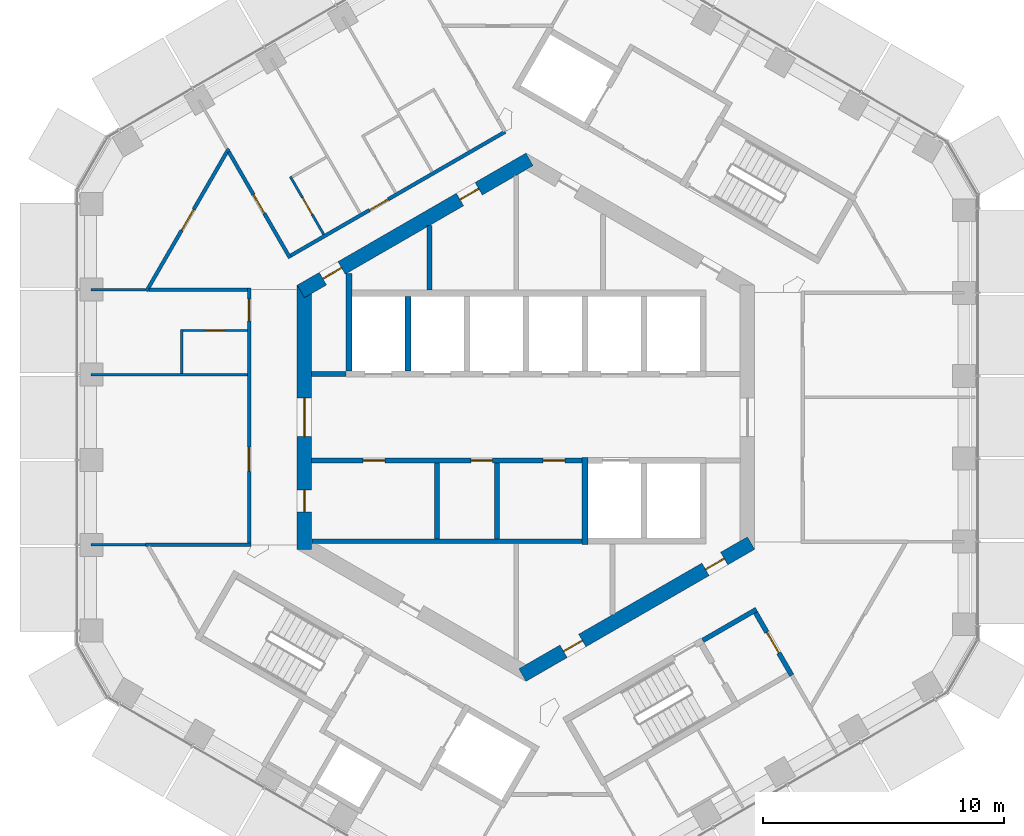
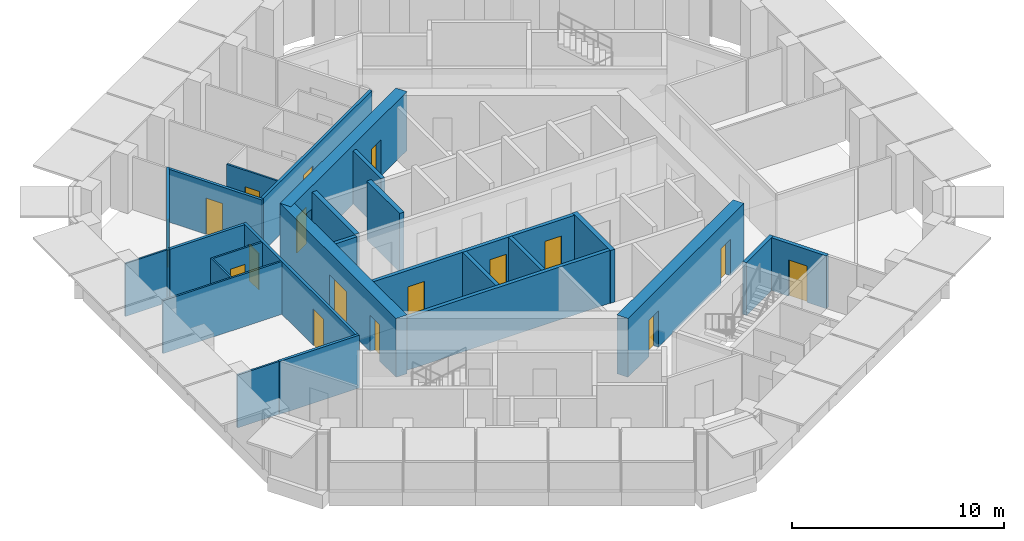
# One storey, part 14 of 18: 26 walls, 17 doors, 17 openings.
"""IFC4 building model written with IfcOpenShell, lengths in metres."""

from ifc_helpers import new_model, si_unit, direction, frame, frame_2d, origin, place, context, subcontext, project, spatial, rectangle, extrude, material, layer, layer_set, type_object, element, fill, save


model = new_model("IFC4")

# Units and contexts
model_context = context("Model", 3, precision=1e-05, world=origin(), true_north=direction((0.0, 1.0)))
body_context = subcontext(model_context, "Body", "Model", "MODEL_VIEW")
ifc_project = project(units=[si_unit("LENGTHUNIT", "METRE"), si_unit("AREAUNIT", "SQUARE_METRE"), si_unit("VOLUMEUNIT", "CUBIC_METRE"), si_unit("PLANEANGLEUNIT", "RADIAN"), si_unit("MASSUNIT", "GRAM", prefix="KILO")], contexts=[model_context])

# Site, building, storey
site_placement = place(None, origin())
site = spatial("IfcSite", under=ifc_project, at=site_placement, CompositionType="ELEMENT")
building_placement = place(site_placement, origin())
building = spatial("IfcBuilding", under=site, at=building_placement, Name="Ayvan Gate Tower", CompositionType="ELEMENT")
storey_placement = place(building_placement, frame((0.0, 0.0, 159.5)))
storey = spatial("IfcBuildingStorey", under=building, at=storey_placement, Name="L42", CompositionType="ELEMENT", Elevation=159.5)

# Wall, openings, doors
ifc_material_1 = material(Name="Concrete C60/75", Category="concrete")
ifc_layer_1 = layer(ifc_material_1, 0.60009765625)
ifc_layer_set_1 = layer_set([ifc_layer_1], Name="Concrete C60/75")
wall_type_1 = type_object("IfcWallType", Name="Core wall 600 C60/75", PredefinedType="SHEAR", material=ifc_layer_set_1)
wall_1_placement = place(storey_placement, frame((0.14990234375, 10.7099609375, 0.0), z_axis=(0.0, 0.0, 1.0), x_axis=(-0.866023993627, -0.500002442456, 0.0)))
wall_1 = element("IfcWall", 1, at=wall_1_placement, inside=storey, type_object=wall_type_1, Name="CORE-L42-2", PredefinedType="SHEAR", context=body_context, shape_type="SweptSolid", body=[
    extrude(rectangle(XDim=10.9697265625, YDim=0.60009765625, at=frame_2d((5.48486328125, 0.0))), origin(), (0.0, 0.0, 1.0), 3.39990234375),
])
opening_1_placement = place(wall_1_placement, frame((9.013427734375, 0.0, 0.0)))
opening_1 = element("IfcOpeningElement", 2, at=opening_1_placement, cuts=wall_1, Name="Opening L42-D45", PredefinedType="OPENING", context=body_context, shape_type="SweptSolid", body=[
    extrude(rectangle(XDim=0.89990234375, YDim=2.10009765625, at=frame_2d((0.449951171875, 1.050048828125))), frame((0.0, 0.31005859375, 0.0), z_axis=(0.0, -1.0, 0.0), x_axis=(1.0, 0.0, 0.0)), (0.0, 0.0, 1.0), 0.6201171875),
])
opening_2_placement = place(wall_1_placement, frame((2.437255859375, 0.0, 0.0)))
opening_2 = element("IfcOpeningElement", 3, at=opening_2_placement, cuts=wall_1, Name="Opening L42-D46", PredefinedType="OPENING", context=body_context, shape_type="SweptSolid", body=[
    extrude(rectangle(XDim=0.89990234375, YDim=2.10009765625, at=frame_2d((0.449951171875, 1.050048828125))), frame((0.0, 0.31005859375, 0.0), z_axis=(0.0, -1.0, 0.0), x_axis=(1.0, 0.0, 0.0)), (0.0, 0.0, 1.0), 0.6201171875),
])
ifc_material_2 = material(Name="Timber door leaf", Category="wood")
door_type_1 = type_object("IfcDoorType", Name="DT-900", OperationType="NOTDEFINED", PredefinedType="DOOR", material=ifc_material_2)
door_1_placement = place(opening_1_placement, origin())
door_1 = element("IfcDoor", 4, at=door_1_placement, inside=storey, type_object=door_type_1, Name="CD-L42-45", OperationType="SINGLE_SWING_LEFT", OverallHeight=2.10009765625, OverallWidth=0.89990234375, PredefinedType="DOOR", context=body_context, shape_type="SweptSolid", body=[
    extrude(rectangle(XDim=0.89990234375, YDim=2.10009765625, at=frame_2d((0.449951171875, 1.050048828125))), frame((0.0, 0.02490234375, 0.0), z_axis=(0.0, -1.0, 0.0), x_axis=(1.0, 0.0, 0.0)), (0.0, 0.0, 1.0), 0.050048828125),
])
fill(opening_1, door_1)
door_2_placement = place(opening_2_placement, origin())
door_2 = element("IfcDoor", 5, at=door_2_placement, inside=storey, type_object=door_type_1, Name="CD-L42-46", OperationType="SINGLE_SWING_RIGHT", OverallHeight=2.10009765625, OverallWidth=0.89990234375, PredefinedType="DOOR", context=body_context, shape_type="SweptSolid", body=[
    extrude(rectangle(XDim=0.89990234375, YDim=2.10009765625, at=frame_2d((0.449951171875, 1.050048828125))), frame((0.0, 0.02490234375, 0.0), z_axis=(0.0, -1.0, 0.0), x_axis=(1.0, 0.0, 0.0)), (0.0, 0.0, 1.0), 0.050048828125),
])
fill(opening_2, door_2)

wall_2_placement = place(storey_placement, frame((-9.199951171875, 5.48486328125, 0.0), z_axis=(0.0, 0.0, 1.0), x_axis=(0.0, -1.0, 0.0)))
wall_2 = element("IfcWall", 6, at=wall_2_placement, inside=storey, type_object=wall_type_1, Name="CORE-L42-3", PredefinedType="SHEAR", context=body_context, shape_type="SweptSolid", body=[
    extrude(rectangle(XDim=10.9697265625, YDim=0.60009765625, at=frame_2d((5.48486328125, 0.0))), origin(), (0.0, 0.0, 1.0), 3.39990234375),
])
opening_3_placement = place(wall_2_placement, frame((8.51611328125, 0.0, 0.0)))
opening_3 = element("IfcOpeningElement", 7, at=opening_3_placement, cuts=wall_2, Name="Opening L42-D52", PredefinedType="OPENING", context=body_context, shape_type="SweptSolid", body=[
    extrude(rectangle(XDim=0.89990234375, YDim=2.10009765625, at=frame_2d((0.449951171875, 1.050048828125))), frame((0.0, 0.31005859375, 0.0), z_axis=(0.0, -1.0, 0.0), x_axis=(1.0, 0.0, 0.0)), (0.0, 0.0, 1.0), 0.6201171875),
])
opening_4_placement = place(wall_2_placement, frame((4.684814453125, 0.0, 0.0)))
opening_4 = element("IfcOpeningElement", 8, at=opening_4_placement, cuts=wall_2, Name="Opening L42-D54", PredefinedType="OPENING", context=body_context, shape_type="SweptSolid", body=[
    extrude(rectangle(XDim=1.60009765625, YDim=2.10009765625, at=frame_2d((0.800048828125, 1.050048828125))), frame((0.0, 0.31005859375, 0.0), z_axis=(0.0, -1.0, 0.0), x_axis=(1.0, 0.0, 0.0)), (0.0, 0.0, 1.0), 0.6201171875),
])
door_type_2 = type_object("IfcDoorType", Name="DT-1600", OperationType="NOTDEFINED", PredefinedType="DOOR", material=ifc_material_2)
door_3_placement = place(opening_4_placement, origin())
door_3 = element("IfcDoor", 9, at=door_3_placement, inside=storey, type_object=door_type_2, Name="CD-L42-54", OperationType="SINGLE_SWING_RIGHT", OverallHeight=2.10009765625, OverallWidth=1.60009765625, PredefinedType="DOOR", context=body_context, shape_type="SweptSolid", body=[
    extrude(rectangle(XDim=1.60009765625, YDim=2.10009765625, at=frame_2d((0.800048828125, 1.050048828125))), frame((0.0, 0.02490234375, 0.0), z_axis=(0.0, -1.0, 0.0), x_axis=(1.0, 0.0, 0.0)), (0.0, 0.0, 1.0), 0.050048828125),
])
fill(opening_4, door_3)
door_4_placement = place(opening_3_placement, origin())
door_4 = element("IfcDoor", 10, at=door_4_placement, inside=storey, type_object=door_type_1, Name="CD-L42-52", OperationType="SINGLE_SWING_RIGHT", OverallHeight=2.10009765625, OverallWidth=0.89990234375, PredefinedType="DOOR", context=body_context, shape_type="SweptSolid", body=[
    extrude(rectangle(XDim=0.89990234375, YDim=2.10009765625, at=frame_2d((0.449951171875, 1.050048828125))), frame((0.0, 0.02490234375, 0.0), z_axis=(0.0, -1.0, 0.0), x_axis=(1.0, 0.0, 0.0)), (0.0, 0.0, 1.0), 0.050048828125),
])
fill(opening_3, door_4)

wall_3_placement = place(storey_placement, frame((-0.14990234375, -10.7099609375, 0.0), z_axis=(0.0, 0.0, 1.0), x_axis=(0.866023993627, 0.500002442456, 0.0)))
wall_3 = element("IfcWall", 11, at=wall_3_placement, inside=storey, type_object=wall_type_1, Name="CORE-L42-5", PredefinedType="SHEAR", context=body_context, shape_type="SweptSolid", body=[
    extrude(rectangle(XDim=10.9697265625, YDim=0.60009765625, at=frame_2d((5.48486328125, 0.0))), origin(), (0.0, 0.0, 1.0), 3.39990234375),
])
opening_5_placement = place(wall_3_placement, frame((1.975341796875, 0.0, 0.0)))
opening_5 = element("IfcOpeningElement", 12, at=opening_5_placement, cuts=wall_3, Name="Opening L42-D50", PredefinedType="OPENING", context=body_context, shape_type="SweptSolid", body=[
    extrude(rectangle(XDim=0.89990234375, YDim=2.10009765625, at=frame_2d((0.449951171875, 1.050048828125))), frame((0.0, 0.31005859375, 0.0), z_axis=(0.0, -1.0, 0.0), x_axis=(1.0, 0.0, 0.0)), (0.0, 0.0, 1.0), 0.6201171875),
])
opening_6_placement = place(wall_3_placement, frame((8.782470703125, 0.0, 0.0)))
opening_6 = element("IfcOpeningElement", 13, at=opening_6_placement, cuts=wall_3, Name="Opening L42-D51", PredefinedType="OPENING", context=body_context, shape_type="SweptSolid", body=[
    extrude(rectangle(XDim=0.89990234375, YDim=2.10009765625, at=frame_2d((0.449951171875, 1.050048828125))), frame((0.0, 0.31005859375, 0.0), z_axis=(0.0, -1.0, 0.0), x_axis=(1.0, 0.0, 0.0)), (0.0, 0.0, 1.0), 0.6201171875),
])
door_5_placement = place(opening_5_placement, origin())
door_5 = element("IfcDoor", 14, at=door_5_placement, inside=storey, type_object=door_type_1, Name="CD-L42-50", OperationType="SINGLE_SWING_RIGHT", OverallHeight=2.10009765625, OverallWidth=0.89990234375, PredefinedType="DOOR", context=body_context, shape_type="SweptSolid", body=[
    extrude(rectangle(XDim=0.89990234375, YDim=2.10009765625, at=frame_2d((0.449951171875, 1.050048828125))), frame((0.0, 0.02490234375, 0.0), z_axis=(0.0, -1.0, 0.0), x_axis=(1.0, 0.0, 0.0)), (0.0, 0.0, 1.0), 0.050048828125),
])
fill(opening_5, door_5)
door_6_placement = place(opening_6_placement, origin())
door_6 = element("IfcDoor", 15, at=door_6_placement, inside=storey, type_object=door_type_1, Name="CD-L42-51", OperationType="SINGLE_SWING_LEFT", OverallHeight=2.10009765625, OverallWidth=0.89990234375, PredefinedType="DOOR", context=body_context, shape_type="SweptSolid", body=[
    extrude(rectangle(XDim=0.89990234375, YDim=2.10009765625, at=frame_2d((0.449951171875, 1.050048828125))), frame((0.0, 0.02490234375, 0.0), z_axis=(0.0, -1.0, 0.0), x_axis=(1.0, 0.0, 0.0)), (0.0, 0.0, 1.0), 0.050048828125),
])
fill(opening_6, door_6)

# Wall
ifc_material_3 = material(Name="Plasterboard on steel stud", Category="steel")
ifc_layer_2 = layer(ifc_material_3, 0.14990234375)
ifc_layer_set_2 = layer_set([ifc_layer_2], Name="Plasterboard on steel stud")
wall_type_2 = type_object("IfcWallType", Name="WT-CORR-150", PredefinedType="PARTITIONING", material=ifc_layer_set_2)
wall_4_placement = place(storey_placement, frame((-15.7978515625, -5.302001953125, 0.0), z_axis=(0.0, 0.0, 1.0), x_axis=(1.0, 0.0, 0.0)))
element("IfcWall", 16, at=wall_4_placement, inside=storey, type_object=wall_type_2, Name="IW-L42-000", PredefinedType="PARTITIONING", context=body_context, shape_type="SweptSolid", body=[
    extrude(rectangle(XDim=4.373046875, YDim=0.14990234375, at=frame_2d((2.1865234375, 0.0))), origin(), (0.0, 0.0, 1.0), 3.050048828125),
])

# Wall, opening, door
wall_5_placement = place(storey_placement, frame((-15.760498046875, 5.23681640625, 0.0), z_axis=(0.0, 0.0, 1.0), x_axis=(0.500009081712, 0.866020160392, 0.0)))
wall_5 = element("IfcWall", 17, at=wall_5_placement, inside=storey, type_object=wall_type_2, Name="IW-L42-002", PredefinedType="PARTITIONING", context=body_context, shape_type="SweptSolid", body=[
    extrude(rectangle(XDim=6.832275390625, YDim=0.14990234375, at=frame_2d((3.416015625, 0.0))), origin(), (0.0, 0.0, 1.0), 3.050048828125),
])
opening_7_placement = place(wall_5_placement, frame((2.916015625, 0.0, 0.0)))
opening_7 = element("IfcOpeningElement", 18, at=opening_7_placement, cuts=wall_5, Name="Opening L42-D28", PredefinedType="OPENING", context=body_context, shape_type="SweptSolid", body=[
    extrude(rectangle(XDim=1.0, YDim=2.10009765625, at=frame_2d((0.5, 1.050048828125))), frame((0.0, 0.0849609375, 0.0), z_axis=(0.0, -1.0, 0.0), x_axis=(1.0, 0.0, 0.0)), (0.0, 0.0, 1.0), 0.169921875),
])
door_type_3 = type_object("IfcDoorType", Name="DT-1000", OperationType="NOTDEFINED", PredefinedType="DOOR", material=ifc_material_2)
door_7_placement = place(opening_7_placement, origin())
door_7 = element("IfcDoor", 19, at=door_7_placement, inside=storey, type_object=door_type_3, Name="ID-L42-028", OperationType="SINGLE_SWING_RIGHT", OverallHeight=2.10009765625, OverallWidth=1.0, PredefinedType="DOOR", context=body_context, shape_type="SweptSolid", body=[
    extrude(rectangle(XDim=1.0, YDim=2.10009765625, at=frame_2d((0.5, 1.050048828125))), frame((0.0, 0.02490234375, 0.0), z_axis=(0.0, -1.0, 0.0), x_axis=(1.0, 0.0, 0.0)), (0.0, 0.0, 1.0), 0.050048828125),
])
fill(opening_7, door_7)

wall_6_placement = place(storey_placement, frame((-12.34423828125, 11.02392578125, 0.0), z_axis=(0.0, 0.0, 1.0), x_axis=(0.50001008724, -0.866019579835, 0.0)))
wall_6 = element("IfcWall", 20, at=wall_6_placement, inside=storey, type_object=wall_type_2, Name="IW-L42-009", PredefinedType="PARTITIONING", context=body_context, shape_type="SweptSolid", body=[
    extrude(rectangle(XDim=5.09423828125, YDim=0.14990234375, at=frame_2d((2.547119140625, 0.0))), origin(), (0.0, 0.0, 1.0), 3.050048828125),
])
opening_8_placement = place(wall_6_placement, frame((2.0595703125, 0.0, 0.0)))
opening_8 = element("IfcOpeningElement", 21, at=opening_8_placement, cuts=wall_6, Name="Opening L42-D43", PredefinedType="OPENING", context=body_context, shape_type="SweptSolid", body=[
    extrude(rectangle(XDim=0.89990234375, YDim=2.10009765625, at=frame_2d((0.449951171875, 1.050048828125))), frame((0.0, 0.0849609375, 0.0), z_axis=(0.0, -1.0, 0.0), x_axis=(1.0, 0.0, 0.0)), (0.0, 0.0, 1.0), 0.169921875),
])
door_8_placement = place(opening_8_placement, origin())
door_8 = element("IfcDoor", 22, at=door_8_placement, inside=storey, type_object=door_type_1, Name="ID-L42-043", OperationType="SINGLE_SWING_LEFT", OverallHeight=2.10009765625, OverallWidth=0.89990234375, PredefinedType="DOOR", context=body_context, shape_type="SweptSolid", body=[
    extrude(rectangle(XDim=0.89990234375, YDim=2.10009765625, at=frame_2d((0.449951171875, 1.050048828125))), frame((0.0, 0.02490234375, 0.0), z_axis=(0.0, -1.0, 0.0), x_axis=(1.0, 0.0, 0.0)), (0.0, 0.0, 1.0), 0.050048828125),
])
fill(opening_8, door_8)

# Wall, openings, doors
wall_7_placement = place(storey_placement, frame((-11.5, -5.226806640625, 0.0), z_axis=(0.0, 0.0, 1.0), x_axis=(0.0, 1.0, 0.0)))
wall_7 = element("IfcWall", 23, at=wall_7_placement, inside=storey, type_object=wall_type_2, Name="IW-L42-011", PredefinedType="PARTITIONING", context=body_context, shape_type="SweptSolid", body=[
    extrude(rectangle(XDim=10.603759765625, YDim=0.14990234375, at=frame_2d((5.3017578125, 0.0))), origin(), (0.0, 0.0, 1.0), 3.050048828125),
])
opening_9_placement = place(wall_7_placement, frame((9.228759765625, 0.0, 0.0)))
opening_9 = element("IfcOpeningElement", 24, at=opening_9_placement, cuts=wall_7, Name="Opening L42-D29", PredefinedType="OPENING", context=body_context, shape_type="SweptSolid", body=[
    extrude(rectangle(XDim=0.89990234375, YDim=2.10009765625, at=frame_2d((0.449951171875, 1.050048828125))), frame((0.0, 0.0849609375, 0.0), z_axis=(0.0, -1.0, 0.0), x_axis=(1.0, 0.0, 0.0)), (0.0, 0.0, 1.0), 0.169921875),
])
opening_10_placement = place(wall_7_placement, frame((2.982177734375, 0.0, 0.0)))
opening_10 = element("IfcOpeningElement", 25, at=opening_10_placement, cuts=wall_7, Name="Opening L42-D31", PredefinedType="OPENING", context=body_context, shape_type="SweptSolid", body=[
    extrude(rectangle(XDim=1.0, YDim=2.10009765625, at=frame_2d((0.5, 1.050048828125))), frame((0.0, 0.0849609375, 0.0), z_axis=(0.0, -1.0, 0.0), x_axis=(1.0, 0.0, 0.0)), (0.0, 0.0, 1.0), 0.169921875),
])
door_9_placement = place(opening_10_placement, origin())
door_9 = element("IfcDoor", 26, at=door_9_placement, inside=storey, type_object=door_type_3, Name="ID-L42-031", OperationType="SINGLE_SWING_LEFT", OverallHeight=2.10009765625, OverallWidth=1.0, PredefinedType="DOOR", context=body_context, shape_type="SweptSolid", body=[
    extrude(rectangle(XDim=1.0, YDim=2.10009765625, at=frame_2d((0.5, 1.050048828125))), frame((0.0, 0.02490234375, 0.0), z_axis=(0.0, -1.0, 0.0), x_axis=(1.0, 0.0, 0.0)), (0.0, 0.0, 1.0), 0.050048828125),
])
fill(opening_10, door_9)
door_10_placement = place(opening_9_placement, origin())
door_10 = element("IfcDoor", 27, at=door_10_placement, inside=storey, type_object=door_type_1, Name="ID-L42-029", OperationType="SINGLE_SWING_LEFT", OverallHeight=2.10009765625, OverallWidth=0.89990234375, PredefinedType="DOOR", context=body_context, shape_type="SweptSolid", body=[
    extrude(rectangle(XDim=0.89990234375, YDim=2.10009765625, at=frame_2d((0.449951171875, 1.050048828125))), frame((0.0, 0.02490234375, 0.0), z_axis=(0.0, -1.0, 0.0), x_axis=(1.0, 0.0, 0.0)), (0.0, 0.0, 1.0), 0.050048828125),
])
fill(opening_9, door_10)

# Wall
wall_8_placement = place(storey_placement, frame((-11.574951171875, 5.302001953125, 0.0), z_axis=(0.0, 0.0, 1.0), x_axis=(-1.0, 0.0, 0.0)))
element("IfcWall", 28, at=wall_8_placement, inside=storey, type_object=wall_type_2, Name="IW-L42-013", PredefinedType="PARTITIONING", context=body_context, shape_type="SweptSolid", body=[
    extrude(rectangle(XDim=4.072998046875, YDim=0.14990234375, at=frame_2d((2.03662109375, 0.0))), origin(), (0.0, 0.0, 1.0), 3.050048828125),
])

# Wall, opening, door
wall_9_placement = place(storey_placement, frame((-9.769775390625, 6.714599609375, 0.0), z_axis=(0.0, 0.0, 1.0), x_axis=(0.866022281964, 0.500005407112, 0.0)))
wall_9 = element("IfcWall", 29, at=wall_9_placement, inside=storey, type_object=wall_type_2, Name="IW-L42-015", PredefinedType="PARTITIONING", context=body_context, shape_type="SweptSolid", body=[
    extrude(rectangle(XDim=10.2822265625, YDim=0.14990234375, at=frame_2d((5.14111328125, 0.0))), origin(), (0.0, 0.0, 1.0), 3.050048828125),
])
opening_11_placement = place(wall_9_placement, frame((3.77734375, 0.0, 0.0)))
opening_11 = element("IfcOpeningElement", 30, at=opening_11_placement, cuts=wall_9, Name="Opening L42-D41", PredefinedType="OPENING", context=body_context, shape_type="SweptSolid", body=[
    extrude(rectangle(XDim=0.89990234375, YDim=2.10009765625, at=frame_2d((0.449951171875, 1.050048828125))), frame((0.0, 0.0849609375, 0.0), z_axis=(0.0, -1.0, 0.0), x_axis=(1.0, 0.0, 0.0)), (0.0, 0.0, 1.0), 0.169921875),
])
door_11_placement = place(opening_11_placement, origin())
door_11 = element("IfcDoor", 31, at=door_11_placement, inside=storey, type_object=door_type_1, Name="ID-L42-041", OperationType="SINGLE_SWING_LEFT", OverallHeight=2.10009765625, OverallWidth=0.89990234375, PredefinedType="DOOR", context=body_context, shape_type="SweptSolid", body=[
    extrude(rectangle(XDim=0.89990234375, YDim=2.10009765625, at=frame_2d((0.449951171875, 1.050048828125))), frame((0.0, 0.02490234375, 0.0), z_axis=(0.0, -1.0, 0.0), x_axis=(1.0, 0.0, 0.0)), (0.0, 0.0, 1.0), 0.050048828125),
])
fill(opening_11, door_11)

# Walls
ifc_layer_3 = layer(ifc_material_3, 0.10009765625)
ifc_layer_set_3 = layer_set([ifc_layer_3], Name="Plasterboard on steel stud")
wall_type_3 = type_object("IfcWallType", Name="WT-PART-100", PredefinedType="PARTITIONING", material=ifc_layer_set_3)
for number, where, z_axis, x_axis, name in (
    (32, (-15.7978515625, 5.302001953125, 0.0), (0.0, 0.0, 1.0), (-1.0, 0.0, 0.0), "IW-L42-001"),
    (33, (-15.7978515625, -5.302001953125, 0.0), (0.0, 0.0, 1.0), (-1.0, 0.0, 0.0), "IW-L42-003"),
):
    element("IfcWall", number, at=place(storey_placement, frame(where, z_axis=z_axis, x_axis=x_axis)), inside=storey, type_object=wall_type_3, Name=name, PredefinedType="PARTITIONING", context=body_context, shape_type="SweptSolid", body=[
        extrude(rectangle(XDim=2.27001953125, YDim=0.10009765625, at=frame_2d((1.135009765625, 0.0))), origin(), (0.0, 0.0, 1.0), 3.050048828125),
    ])
wall_10_placement = place(storey_placement, frame((-18.06787109375, 1.767333984375, 0.0), z_axis=(0.0, 0.0, 1.0), x_axis=(1.0, 0.0, 0.0)))
element("IfcWall", 34, at=wall_10_placement, inside=storey, type_object=wall_type_3, Name="IW-L42-004", PredefinedType="PARTITIONING", context=body_context, shape_type="SweptSolid", body=[
    extrude(rectangle(XDim=6.492919921875, YDim=0.10009765625, at=frame_2d((3.24658203125, 0.0))), origin(), (0.0, 0.0, 1.0), 3.050048828125),
])
wall_11_placement = place(storey_placement, frame((-14.300048828125, 3.65185546875, 0.0), z_axis=(0.0, 0.0, 1.0), x_axis=(0.0, -1.0, 0.0)))
element("IfcWall", 35, at=wall_11_placement, inside=storey, type_object=wall_type_3, Name="IW-L42-005", PredefinedType="PARTITIONING", context=body_context, shape_type="SweptSolid", body=[
    extrude(rectangle(XDim=1.83447265625, YDim=0.10009765625, at=frame_2d((0.917236328125, 0.0))), origin(), (0.0, 0.0, 1.0), 3.050048828125),
])

# Wall, opening, door
wall_12_placement = place(storey_placement, frame((-11.574951171875, 3.601806640625, 0.0), z_axis=(0.0, 0.0, 1.0), x_axis=(-1.0, 0.0, 0.0)))
wall_12 = element("IfcWall", 36, at=wall_12_placement, inside=storey, type_object=wall_type_3, Name="IW-L42-012", PredefinedType="PARTITIONING", context=body_context, shape_type="SweptSolid", body=[
    extrude(rectangle(XDim=2.675048828125, YDim=0.10009765625, at=frame_2d((1.33740234375, 0.0))), origin(), (0.0, 0.0, 1.0), 3.050048828125),
])
opening_12_placement = place(wall_12_placement, frame((0.9375, 0.0, 0.0)))
opening_12 = element("IfcOpeningElement", 37, at=opening_12_placement, cuts=wall_12, Name="Opening L42-D30", PredefinedType="OPENING", context=body_context, shape_type="SweptSolid", body=[
    extrude(rectangle(XDim=0.800048828125, YDim=2.10009765625, at=frame_2d((0.39990234375, 1.050048828125))), frame((0.0, 0.06005859375, 0.0), z_axis=(0.0, -1.0, 0.0), x_axis=(1.0, 0.0, 0.0)), (0.0, 0.0, 1.0), 0.1201171875),
])
door_type_4 = type_object("IfcDoorType", Name="DT-800", OperationType="NOTDEFINED", PredefinedType="DOOR", material=ifc_material_2)
door_12_placement = place(opening_12_placement, origin())
door_12 = element("IfcDoor", 38, at=door_12_placement, inside=storey, type_object=door_type_4, Name="ID-L42-030", OperationType="SINGLE_SWING_RIGHT", OverallHeight=2.10009765625, OverallWidth=0.800048828125, PredefinedType="DOOR", context=body_context, shape_type="SweptSolid", body=[
    extrude(rectangle(XDim=0.800048828125, YDim=2.10009765625, at=frame_2d((0.39990234375, 1.050048828125))), frame((0.0, 0.02490234375, 0.0), z_axis=(0.0, -1.0, 0.0), x_axis=(1.0, 0.0, 0.0)), (0.0, 0.0, 1.0), 0.050048828125),
])
fill(opening_12, door_12)

wall_13_placement = place(storey_placement, frame((-9.78759765625, 9.995361328125, 0.0), z_axis=(0.0, 0.0, 1.0), x_axis=(0.50007530636, -0.865981921271, 0.0)))
wall_13 = element("IfcWall", 39, at=wall_13_placement, inside=storey, type_object=wall_type_3, Name="IW-L42-016", PredefinedType="PARTITIONING", context=body_context, shape_type="SweptSolid", body=[
    extrude(rectangle(XDim=2.77490234375, YDim=0.10009765625, at=frame_2d((1.387451171875, 0.0))), origin(), (0.0, 0.0, 1.0), 3.050048828125),
])
opening_13_placement = place(wall_13_placement, frame((1.012451171875, 0.0, 0.0)))
opening_13 = element("IfcOpeningElement", 40, at=opening_13_placement, cuts=wall_13, Name="Opening L42-D44", PredefinedType="OPENING", context=body_context, shape_type="SweptSolid", body=[
    extrude(rectangle(XDim=0.800048828125, YDim=2.10009765625, at=frame_2d((0.39990234375, 1.050048828125))), frame((0.0, 0.06005859375, 0.0), z_axis=(0.0, -1.0, 0.0), x_axis=(1.0, 0.0, 0.0)), (0.0, 0.0, 1.0), 0.1201171875),
])
door_13_placement = place(opening_13_placement, origin())
door_13 = element("IfcDoor", 41, at=door_13_placement, inside=storey, type_object=door_type_4, Name="ID-L42-044", OperationType="SINGLE_SWING_RIGHT", OverallHeight=2.10009765625, OverallWidth=0.800048828125, PredefinedType="DOOR", context=body_context, shape_type="SweptSolid", body=[
    extrude(rectangle(XDim=0.800048828125, YDim=2.10009765625, at=frame_2d((0.39990234375, 1.050048828125))), frame((0.0, 0.02490234375, 0.0), z_axis=(0.0, -1.0, 0.0), x_axis=(1.0, 0.0, 0.0)), (0.0, 0.0, 1.0), 0.050048828125),
])
fill(opening_13, door_13)

# Walls
ifc_layer_4 = layer(ifc_material_3, 0.199951171875)
ifc_layer_set_4 = layer_set([ifc_layer_4], Name="Plasterboard on steel stud")
wall_type_4 = type_object("IfcWallType", Name="WT-RATED-200", PredefinedType="PARTITIONING", material=ifc_layer_set_4)
wall_14_placement = place(storey_placement, frame((-8.89990234375, 1.800048828125, 0.0), z_axis=(0.0, 0.0, 1.0), x_axis=(1.0, 0.0, 0.0)))
element("IfcWall", 42, at=wall_14_placement, inside=storey, type_object=wall_type_4, Name="IW-L42-020", PredefinedType="PARTITIONING", context=body_context, shape_type="SweptSolid", body=[
    extrude(rectangle(XDim=1.425048828125, YDim=0.199951171875, at=frame_2d((0.71240234375, 0.0))), origin(), (0.0, 0.0, 1.0), 3.050048828125),
])
wall_15_placement = place(storey_placement, frame((-8.8798828125, -5.14990234375, 0.0), z_axis=(0.0, 0.0, 1.0), x_axis=(1.0, 0.0, 0.0)))
element("IfcWall", 43, at=wall_15_placement, inside=storey, type_object=wall_type_4, Name="IW-L42-021", PredefinedType="PARTITIONING", context=body_context, shape_type="SweptSolid", body=[
    extrude(rectangle(XDim=11.205078125, YDim=0.199951171875, at=frame_2d((5.6025390625, 0.0))), origin(), (0.0, 0.0, 1.0), 3.050048828125),
])
wall_16_placement = place(storey_placement, frame((-4.0, 7.96728515625, 0.0), z_axis=(0.0, 0.0, 1.0), x_axis=(0.0, -1.0, 0.0)))
element("IfcWall", 44, at=wall_16_placement, inside=storey, type_object=wall_type_4, Name="IW-L42-039", PredefinedType="PARTITIONING", context=body_context, shape_type="SweptSolid", body=[
    extrude(rectangle(XDim=2.6923828125, YDim=0.199951171875, at=frame_2d((1.34619140625, 0.0))), origin(), (0.0, 0.0, 1.0), 3.050048828125),
])
wall_17_placement = place(storey_placement, frame((-3.699951171875, -1.89990234375, 0.0), z_axis=(0.0, 0.0, 1.0), x_axis=(0.0, -1.0, 0.0)))
element("IfcWall", 45, at=wall_17_placement, inside=storey, type_object=wall_type_4, Name="IW-L42-042", PredefinedType="PARTITIONING", context=body_context, shape_type="SweptSolid", body=[
    extrude(rectangle(XDim=3.150146484375, YDim=0.199951171875, at=frame_2d((1.5751953125, 0.0))), origin(), (0.0, 0.0, 1.0), 3.050048828125),
])

# Wall, openings, doors
wall_18_placement = place(storey_placement, frame((-8.89990234375, -1.800048828125, 0.0), z_axis=(0.0, 0.0, 1.0), x_axis=(1.0, 0.0, 0.0)))
wall_18 = element("IfcWall", 46, at=wall_18_placement, inside=storey, type_object=wall_type_4, Name="IW-L42-043", PredefinedType="PARTITIONING", context=body_context, shape_type="SweptSolid", body=[
    extrude(rectangle(XDim=11.22509765625, YDim=0.199951171875, at=frame_2d((5.612548828125, 0.0))), origin(), (0.0, 0.0, 1.0), 3.050048828125),
])
opening_14_placement = place(wall_18_placement, frame((2.135009765625, 0.0, 0.0)))
opening_14 = element("IfcOpeningElement", 47, at=opening_14_placement, cuts=wall_18, Name="Opening L42-D08", PredefinedType="OPENING", context=body_context, shape_type="SweptSolid", body=[
    extrude(rectangle(XDim=0.89990234375, YDim=2.10009765625, at=frame_2d((0.449951171875, 1.050048828125))), frame((0.0, 0.10986328125, 0.0), z_axis=(0.0, -1.0, 0.0), x_axis=(1.0, 0.0, 0.0)), (0.0, 0.0, 1.0), 0.219970703125),
])
opening_15_placement = place(wall_18_placement, frame((6.610107421875, 0.0, 0.0)))
opening_15 = element("IfcOpeningElement", 48, at=opening_15_placement, cuts=wall_18, Name="Opening L42-D09", PredefinedType="OPENING", context=body_context, shape_type="SweptSolid", body=[
    extrude(rectangle(XDim=0.89990234375, YDim=2.10009765625, at=frame_2d((0.449951171875, 1.050048828125))), frame((0.0, 0.10986328125, 0.0), z_axis=(0.0, -1.0, 0.0), x_axis=(1.0, 0.0, 0.0)), (0.0, 0.0, 1.0), 0.219970703125),
])
opening_16_placement = place(wall_18_placement, frame((9.612548828125, 0.0, 0.0)))
opening_16 = element("IfcOpeningElement", 49, at=opening_16_placement, cuts=wall_18, Name="Opening L42-D10", PredefinedType="OPENING", context=body_context, shape_type="SweptSolid", body=[
    extrude(rectangle(XDim=0.89990234375, YDim=2.10009765625, at=frame_2d((0.449951171875, 1.050048828125))), frame((0.0, 0.10986328125, 0.0), z_axis=(0.0, -1.0, 0.0), x_axis=(1.0, 0.0, 0.0)), (0.0, 0.0, 1.0), 0.219970703125),
])
door_14_placement = place(opening_14_placement, origin())
door_14 = element("IfcDoor", 50, at=door_14_placement, inside=storey, type_object=door_type_1, Name="ID-L42-008", OperationType="SINGLE_SWING_RIGHT", OverallHeight=2.10009765625, OverallWidth=0.89990234375, PredefinedType="DOOR", context=body_context, shape_type="SweptSolid", body=[
    extrude(rectangle(XDim=0.89990234375, YDim=2.10009765625, at=frame_2d((0.449951171875, 1.050048828125))), frame((0.0, 0.02490234375, 0.0), z_axis=(0.0, -1.0, 0.0), x_axis=(1.0, 0.0, 0.0)), (0.0, 0.0, 1.0), 0.050048828125),
])
fill(opening_14, door_14)
door_15_placement = place(opening_15_placement, origin())
door_15 = element("IfcDoor", 51, at=door_15_placement, inside=storey, type_object=door_type_1, Name="ID-L42-009", OperationType="SINGLE_SWING_LEFT", OverallHeight=2.10009765625, OverallWidth=0.89990234375, PredefinedType="DOOR", context=body_context, shape_type="SweptSolid", body=[
    extrude(rectangle(XDim=0.89990234375, YDim=2.10009765625, at=frame_2d((0.449951171875, 1.050048828125))), frame((0.0, 0.02490234375, 0.0), z_axis=(0.0, -1.0, 0.0), x_axis=(1.0, 0.0, 0.0)), (0.0, 0.0, 1.0), 0.050048828125),
])
fill(opening_15, door_15)
door_16_placement = place(opening_16_placement, origin())
door_16 = element("IfcDoor", 52, at=door_16_placement, inside=storey, type_object=door_type_1, Name="ID-L42-010", OperationType="SINGLE_SWING_RIGHT", OverallHeight=2.10009765625, OverallWidth=0.89990234375, PredefinedType="DOOR", context=body_context, shape_type="SweptSolid", body=[
    extrude(rectangle(XDim=0.89990234375, YDim=2.10009765625, at=frame_2d((0.449951171875, 1.050048828125))), frame((0.0, 0.02490234375, 0.0), z_axis=(0.0, -1.0, 0.0), x_axis=(1.0, 0.0, 0.0)), (0.0, 0.0, 1.0), 0.050048828125),
])
fill(opening_16, door_16)

# Walls
wall_19_placement = place(storey_placement, frame((-1.199951171875, -1.89990234375, 0.0), z_axis=(0.0, 0.0, 1.0), x_axis=(0.0, -1.0, 0.0)))
element("IfcWall", 53, at=wall_19_placement, inside=storey, type_object=wall_type_4, Name="IW-L42-051", PredefinedType="PARTITIONING", context=body_context, shape_type="SweptSolid", body=[
    extrude(rectangle(XDim=3.150146484375, YDim=0.199951171875, at=frame_2d((1.5751953125, 0.0))), origin(), (0.0, 0.0, 1.0), 3.050048828125),
])
wall_20_placement = place(storey_placement, frame((7.343994140625, -9.27001953125, 0.0), z_axis=(0.0, 0.0, 1.0), x_axis=(0.866005588531, 0.500034319456, 0.0)))
element("IfcWall", 54, at=wall_20_placement, inside=storey, type_object=wall_type_4, Name="IW-L42-087", PredefinedType="PARTITIONING", context=body_context, shape_type="SweptSolid", body=[
    extrude(rectangle(XDim=2.574951171875, YDim=0.199951171875, at=frame_2d((1.28759765625, 0.0))), origin(), (0.0, 0.0, 1.0), 3.050048828125),
])

# Wall, opening, door
wall_21_placement = place(storey_placement, frame((9.537353515625, -8.119140625, 0.0), z_axis=(0.0, 0.0, 1.0), x_axis=(0.499990139034, -0.866031096941, 0.0)))
wall_21 = element("IfcWall", 55, at=wall_21_placement, inside=storey, type_object=wall_type_4, Name="IW-L42-095", PredefinedType="PARTITIONING", context=body_context, shape_type="SweptSolid", body=[
    extrude(rectangle(XDim=3.0, YDim=0.199951171875, at=frame_2d((1.5, 0.0))), origin(), (0.0, 0.0, 1.0), 3.050048828125),
])
opening_17_placement = place(wall_21_placement, frame((0.93505859375, 0.0, 0.0)))
opening_17 = element("IfcOpeningElement", 56, at=opening_17_placement, cuts=wall_21, Name="Opening L42-D20", PredefinedType="OPENING", context=body_context, shape_type="SweptSolid", body=[
    extrude(rectangle(XDim=1.0, YDim=2.10009765625, at=frame_2d((0.5, 1.050048828125))), frame((0.0, 0.10986328125, 0.0), z_axis=(0.0, -1.0, 0.0), x_axis=(1.0, 0.0, 0.0)), (0.0, 0.0, 1.0), 0.219970703125),
])
door_17_placement = place(opening_17_placement, origin())
door_17 = element("IfcDoor", 57, at=door_17_placement, inside=storey, type_object=door_type_3, Name="ID-L42-020", OperationType="SINGLE_SWING_RIGHT", OverallHeight=2.10009765625, OverallWidth=1.0, PredefinedType="DOOR", context=body_context, shape_type="SweptSolid", body=[
    extrude(rectangle(XDim=1.0, YDim=2.10009765625, at=frame_2d((0.5, 1.050048828125))), frame((0.0, 0.02490234375, 0.0), z_axis=(0.0, -1.0, 0.0), x_axis=(1.0, 0.0, 0.0)), (0.0, 0.0, 1.0), 0.050048828125),
])
fill(opening_17, door_17)

# Walls
ifc_material_4 = material(Name="Concrete C50/60", Category="concrete")
ifc_layer_5 = layer(ifc_material_4, 0.25)
ifc_layer_set_5 = layer_set([ifc_layer_5], Name="Concrete C50/60")
wall_type_5 = type_object("IfcWallType", Name="WT-RC-250", PredefinedType="SHEAR", material=ifc_layer_set_5)
wall_22_placement = place(storey_placement, frame((-7.35009765625, 1.925048828125, 0.0), z_axis=(0.0, 0.0, 1.0), x_axis=(0.0, 1.0, 0.0)))
element("IfcWall", 58, at=wall_22_placement, inside=storey, type_object=wall_type_5, Name="IW-L42-028", PredefinedType="SHEAR", context=body_context, shape_type="SweptSolid", body=[
    extrude(rectangle(XDim=4.0361328125, YDim=0.25, at=frame_2d((2.01806640625, 0.0))), origin(), (0.0, 0.0, 1.0), 3.050048828125),
])
wall_23_placement = place(storey_placement, frame((-4.89990234375, 5.02490234375, 0.0), z_axis=(0.0, 0.0, 1.0), x_axis=(0.0, -1.0, 0.0)))
element("IfcWall", 59, at=wall_23_placement, inside=storey, type_object=wall_type_5, Name="IW-L42-037", PredefinedType="SHEAR", context=body_context, shape_type="SweptSolid", body=[
    extrude(rectangle(XDim=3.099853515625, YDim=0.25, at=frame_2d((1.5498046875, 0.0))), origin(), (0.0, 0.0, 1.0), 3.39990234375),
])
wall_24_placement = place(storey_placement, frame((2.449951171875, -5.27490234375, 0.0), z_axis=(0.0, 0.0, 1.0), x_axis=(0.0, 1.0, 0.0)))
element("IfcWall", 60, at=wall_24_placement, inside=storey, type_object=wall_type_5, Name="IW-L42-063", PredefinedType="SHEAR", context=body_context, shape_type="SweptSolid", body=[
    extrude(rectangle(XDim=3.599853515625, YDim=0.25, at=frame_2d((1.7998046875, 0.0))), origin(), (0.0, 0.0, 1.0), 3.050048828125),
])

save(model, "model.ifc")
